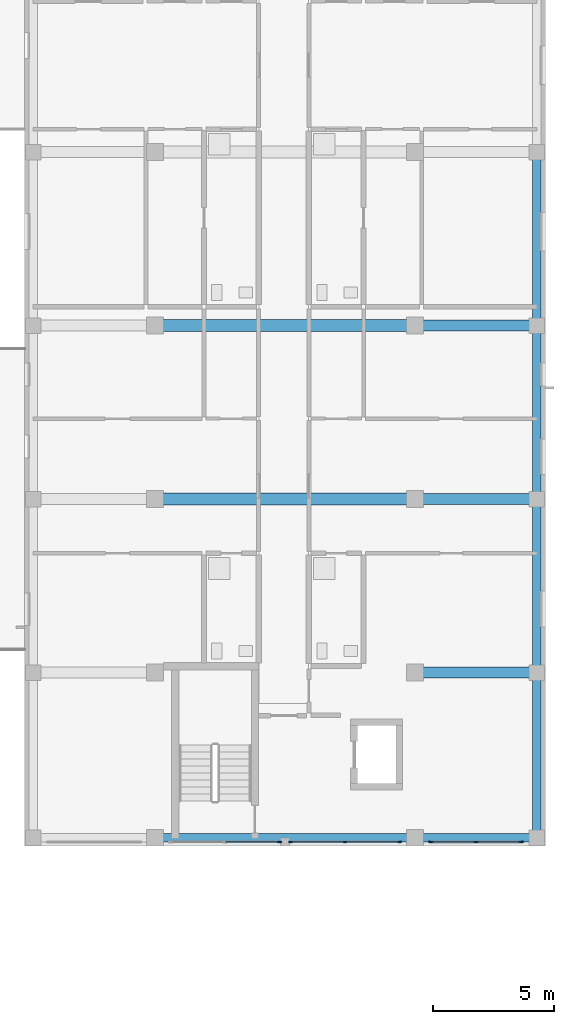
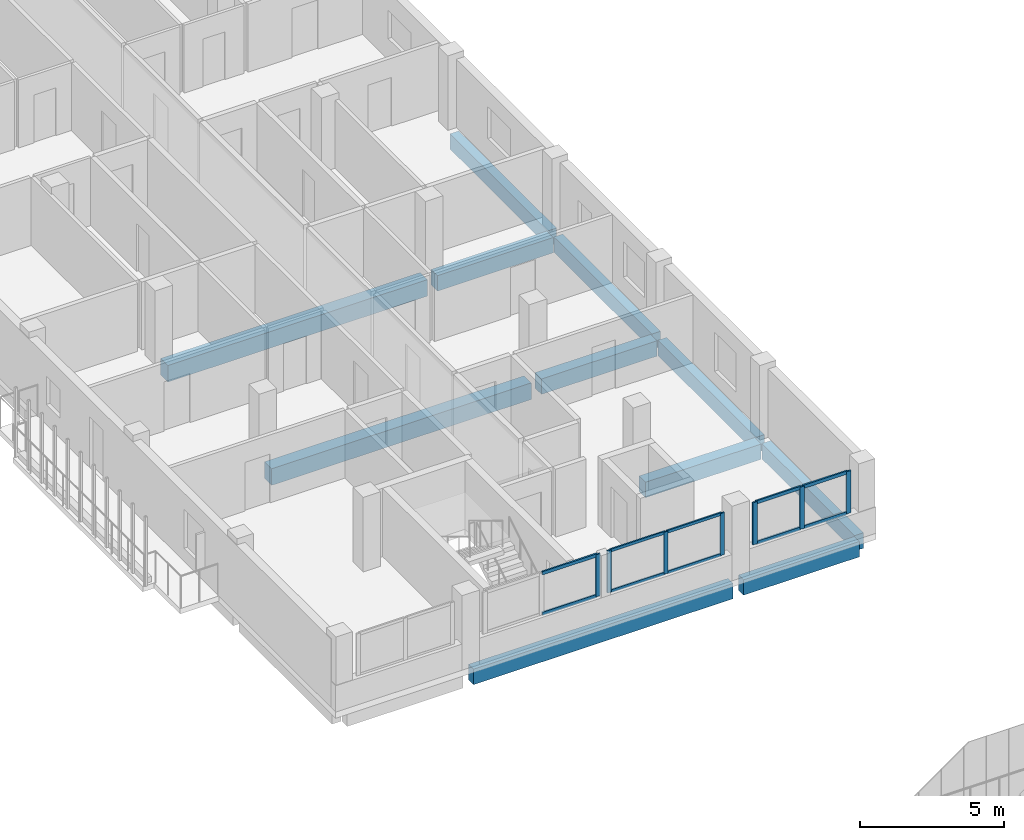
# One storey, part 18 of 51: 17 members, 11 beams, 3 elements without a shape of their own.
"""IFC4 building model written with IfcOpenShell, lengths in metres."""

from ifc_helpers import new_model, si_unit, derived_unit, direction, frame, origin, origin_2d, place, context, subcontext, project, spatial, rectangle, extrude, material, layer, layer_set, material_profile, profile_set, type_object, element, aggregate, save


model = new_model("IFC4")

# Units and contexts
model_context = context("Model", 3, precision=1e-05, world=origin(), true_north=direction((0.0, 1.0)))
body_context = subcontext(model_context, "Body", "Model", "MODEL_VIEW")
ifc_project = project(units=[si_unit("LENGTHUNIT", "METRE"), si_unit("AREAUNIT", "SQUARE_METRE"), si_unit("VOLUMEUNIT", "CUBIC_METRE"), si_unit("PLANEANGLEUNIT", "RADIAN"), si_unit("MASSUNIT", "GRAM", prefix="KILO"), derived_unit("THERMALTRANSMITTANCEUNIT", [(si_unit("MASSUNIT", "GRAM", prefix="KILO"), 1), (si_unit("TIMEUNIT", "SECOND"), -3), (si_unit("THERMODYNAMICTEMPERATUREUNIT", "KELVIN"), -1)])], contexts=[model_context])

# Site, building, storey
site_placement = place(None, origin())
site = spatial("IfcSite", under=ifc_project, at=site_placement, CompositionType="ELEMENT")
building_placement = place(site_placement, origin())
building = spatial("IfcBuilding", under=site, at=building_placement, Name="Ochrekiln Boulevard Commons", CompositionType="ELEMENT")
storey_placement = place(building_placement, frame((0.0, 0.0, 15.22509765625)))
storey = spatial("IfcBuildingStorey", under=building, at=storey_placement, Name="L04", CompositionType="ELEMENT", Elevation=15.22509765625)

# Beams
ifc_material_1 = material(Name="Concrete C35/45", Category="concrete")
ifc_material_profile_1 = material_profile(ifc_material_1, rectangle(XDim=0.449951171875, YDim=0.64990234375, at=origin_2d()), Name="RC-BM-450x650")
ifc_profile_set_1 = profile_set([ifc_material_profile_1], Name="Concrete C35/45")
beam_type_1 = type_object("IfcBeamType", Name="BM-RC-450x650", PredefinedType="BEAM", material=ifc_profile_set_1)
for number, where, z_axis, x_axis, name in (
    (1, (167.610107421875, 75.60009765625, -0.585205078125), (1.0, 0.0, 0.0), (0.0, 1.0, 0.0), "Block B L04 Beam B-4565 X5"),
    (2, (167.610107421875, 82.800048828125, -0.585205078125), (1.0, 0.0, 0.0), (0.0, 1.0, 0.0), "Block B L04 Beam B-4565 X8"),
    (3, (167.610107421875, 90.0, -0.585205078125), (1.0, 0.0, 0.0), (0.0, 1.0, 0.0), "Block B L04 Beam B-4565 X11"),
):
    element("IfcBeam", number, at=place(storey_placement, frame(where, z_axis=z_axis, x_axis=x_axis)), inside=storey, type_object=beam_type_1, Name=name, PredefinedType="BEAM", context=body_context, shape_type="SweptSolid", body=[
        extrude(rectangle(XDim=0.449951171875, YDim=0.64990234375, at=origin_2d()), origin(), (0.0, 0.0, 1.0), 4.6298828125),
    ])
ifc_material_2 = material(Name="Concrete C40/50", Category="concrete")
ifc_material_profile_2 = material_profile(ifc_material_2, rectangle(XDim=0.5, YDim=0.699951171875, at=origin_2d()), Name="RC-BM-500x700")
ifc_profile_set_2 = profile_set([ifc_material_profile_2], Name="Concrete C40/50")
beam_type_2 = type_object("IfcBeamType", Name="BM-RC-500x700", PredefinedType="BEAM", material=ifc_profile_set_2)
for number, where, z_axis, x_axis, name in (
    (4, (156.81005859375, 82.800048828125, -0.610107421875), (1.0, 0.0, 0.0), (0.0, 1.0, 0.0), "Block B L04 Beam B-5070 X7"),
    (5, (156.81005859375, 90.0, -0.610107421875), (1.0, 0.0, 0.0), (0.0, 1.0, 0.0), "Block B L04 Beam B-5070 X10"),
):
    element("IfcBeam", number, at=place(storey_placement, frame(where, z_axis=z_axis, x_axis=x_axis)), inside=storey, type_object=beam_type_2, Name=name, PredefinedType="BEAM", context=body_context, shape_type="SweptSolid", body=[
        extrude(rectangle(XDim=0.5, YDim=0.699951171875, at=origin_2d()), origin(), (0.0, 0.0, 1.0), 10.3798828125),
    ])

# Curtain wall, members
ifc_material_3 = material(Name="Bronze-anodized extruded aluminium 6063-T6", Category="aluminium")
ifc_layer = layer(ifc_material_3, 0.18408203125)
ifc_layer_set = layer_set([ifc_layer], Name="Bronze-anodized extruded aluminium 6063-T6")
curtain_wall_type = type_object("IfcCurtainWallType", Name="CW-GABLE-B", PredefinedType="USERDEFINED", material=ifc_layer_set)
curtain_wall_1_placement = place(storey_placement, origin())
curtain_wall_1 = element("IfcCurtainWall", 6, at=curtain_wall_1_placement, inside=storey, type_object=curtain_wall_type, Name="Block B L04 Courtyard Glazed Gable Curtain Wall 3", ObjectType="GLAZED CURTAIN WALL", PredefinedType="USERDEFINED")
ifc_material_profile_3 = material_profile(ifc_material_3, rectangle(XDim=0.06005859375, YDim=0.159912109375, at=origin_2d()), Name="ALU-MUL-60x160")
ifc_profile_set_3 = profile_set([ifc_material_profile_3], Name="Bronze-anodized extruded aluminium 6063-T6")
member_type_1 = type_object("IfcMemberType", Name="CWM-60x160", PredefinedType="MULLION", material=ifc_profile_set_3)
member_1_placement = place(storey_placement, frame((162.22998046875, 68.570068359375, 1.10986328125), z_axis=(0.0, 0.0, 1.0), x_axis=(0.0, 1.0, 0.0)))
member_1 = element("IfcMember", 7, at=member_1_placement, type_object=member_type_1, Name="CW-02 mullion 1", PredefinedType="MULLION", context=body_context, shape_type="SweptSolid", body=[
    extrude(rectangle(XDim=0.06005859375, YDim=0.159912109375, at=origin_2d()), origin(), (0.0, 0.0, 1.0), 1.780029296875),
])
member_2_placement = place(storey_placement, frame((164.489990234375, 68.570068359375, 1.10986328125), z_axis=(0.0, 0.0, 1.0), x_axis=(0.0, 1.0, 0.0)))
member_2 = element("IfcMember", 8, at=member_2_placement, type_object=member_type_1, Name="CW-02 mullion 2", PredefinedType="MULLION", context=body_context, shape_type="SweptSolid", body=[
    extrude(rectangle(XDim=0.06005859375, YDim=0.159912109375, at=origin_2d()), origin(), (0.0, 0.0, 1.0), 1.780029296875),
])
member_3_placement = place(storey_placement, frame((166.75, 68.570068359375, 1.10986328125), z_axis=(0.0, 0.0, 1.0), x_axis=(0.0, 1.0, 0.0)))
member_3 = element("IfcMember", 9, at=member_3_placement, type_object=member_type_1, Name="CW-02 mullion 3", PredefinedType="MULLION", context=body_context, shape_type="SweptSolid", body=[
    extrude(rectangle(XDim=0.06005859375, YDim=0.159912109375, at=origin_2d()), origin(), (0.0, 0.0, 1.0), 1.780029296875),
])

# Curtain wall, member
curtain_wall_2_placement = place(storey_placement, origin())
curtain_wall_2 = element("IfcCurtainWall", 10, at=curtain_wall_2_placement, inside=storey, type_object=curtain_wall_type, Name="Block B L04 Courtyard Glazed Gable Curtain Wall 2", ObjectType="GLAZED CURTAIN WALL", PredefinedType="USERDEFINED")
ifc_material_profile_4 = material_profile(ifc_material_3, rectangle(XDim=0.06494140625, YDim=0.179931640625, at=origin_2d()), Name="ALU-MUL-65x180")
ifc_profile_set_4 = profile_set([ifc_material_profile_4], Name="Bronze-anodized extruded aluminium 6063-T6")
member_type_2 = type_object("IfcMemberType", Name="CWM-65x180", PredefinedType="MULLION", material=ifc_profile_set_4)
member_4_placement = place(storey_placement, frame((161.767578125, 68.570068359375, 1.10986328125), z_axis=(0.0, 0.0, 1.0), x_axis=(0.0, 1.0, 0.0)))
member_4 = element("IfcMember", 11, at=member_4_placement, type_object=member_type_2, Name="CW-02 mullion 3", PredefinedType="MULLION", context=body_context, shape_type="SweptSolid", body=[
    extrude(rectangle(XDim=0.06494140625, YDim=0.179931640625, at=origin_2d()), origin(), (0.0, 0.0, 1.0), 1.780029296875),
])

# Curtain wall, members
curtain_wall_3_placement = place(storey_placement, origin())
curtain_wall_3 = element("IfcCurtainWall", 12, at=curtain_wall_3_placement, inside=storey, type_object=curtain_wall_type, Name="Block B L04 Courtyard Glazed Gable Curtain Wall 4", ObjectType="GLAZED CURTAIN WALL", PredefinedType="USERDEFINED")
member_5_placement = place(storey_placement, frame((168.052490234375, 68.570068359375, 1.10986328125), z_axis=(0.0, 0.0, 1.0), x_axis=(0.0, 1.0, 0.0)))
member_5 = element("IfcMember", 13, at=member_5_placement, type_object=member_type_2, Name="CW-02 mullion 1", PredefinedType="MULLION", context=body_context, shape_type="SweptSolid", body=[
    extrude(rectangle(XDim=0.06494140625, YDim=0.179931640625, at=origin_2d()), origin(), (0.0, 0.0, 1.0), 1.780029296875),
])
member_6_placement = place(storey_placement, frame((169.925048828125, 68.570068359375, 1.10986328125), z_axis=(0.0, 0.0, 1.0), x_axis=(0.0, 1.0, 0.0)))
member_6 = element("IfcMember", 14, at=member_6_placement, type_object=member_type_2, Name="CW-02 mullion 2", PredefinedType="MULLION", context=body_context, shape_type="SweptSolid", body=[
    extrude(rectangle(XDim=0.06494140625, YDim=0.179931640625, at=origin_2d()), origin(), (0.0, 0.0, 1.0), 1.780029296875),
])
member_7_placement = place(storey_placement, frame((171.797607421875, 68.570068359375, 1.10986328125), z_axis=(0.0, 0.0, 1.0), x_axis=(0.0, 1.0, 0.0)))
member_7 = element("IfcMember", 15, at=member_7_placement, type_object=member_type_2, Name="CW-02 mullion 3", PredefinedType="MULLION", context=body_context, shape_type="SweptSolid", body=[
    extrude(rectangle(XDim=0.06494140625, YDim=0.179931640625, at=origin_2d()), origin(), (0.0, 0.0, 1.0), 1.780029296875),
])

# Member
ifc_material_profile_5 = material_profile(ifc_material_3, rectangle(XDim=0.06005859375, YDim=0.1201171875, at=origin_2d()), Name="ALU-TRN-60x120")
ifc_profile_set_5 = profile_set([ifc_material_profile_5], Name="Bronze-anodized extruded aluminium 6063-T6")
member_type_3 = type_object("IfcMemberType", Name="CWT-60x120", PredefinedType="USERDEFINED", material=ifc_profile_set_5)
member_8_placement = place(storey_placement, frame((162.260009765625, 68.570068359375, 1.139892578125), z_axis=(1.0, 0.0, 0.0), x_axis=(0.0, 1.0, 0.0)))
member_8 = element("IfcMember", 16, at=member_8_placement, type_object=member_type_3, Name="CW-02 transom 1.1", ObjectType="TRANSOM", PredefinedType="USERDEFINED", context=body_context, shape_type="SweptSolid", body=[
    extrude(rectangle(XDim=0.06005859375, YDim=0.1201171875, at=origin_2d()), origin(), (0.0, 0.0, 1.0), 2.199951171875),
])

member_9_placement = place(storey_placement, frame((162.260009765625, 68.570068359375, 2.85986328125), z_axis=(1.0, 0.0, 0.0), x_axis=(0.0, 1.0, 0.0)))
member_9 = element("IfcMember", 17, at=member_9_placement, type_object=member_type_3, Name="CW-02 transom 1.2", ObjectType="TRANSOM", PredefinedType="USERDEFINED", context=body_context, shape_type="SweptSolid", body=[
    extrude(rectangle(XDim=0.06005859375, YDim=0.1201171875, at=origin_2d()), origin(), (0.0, 0.0, 1.0), 2.199951171875),
])

member_10_placement = place(storey_placement, frame((164.52001953125, 68.570068359375, 1.139892578125), z_axis=(1.0, 0.0, 0.0), x_axis=(0.0, 1.0, 0.0)))
member_10 = element("IfcMember", 18, at=member_10_placement, type_object=member_type_3, Name="CW-02 transom 2.1", ObjectType="TRANSOM", PredefinedType="USERDEFINED", context=body_context, shape_type="SweptSolid", body=[
    extrude(rectangle(XDim=0.06005859375, YDim=0.1201171875, at=origin_2d()), origin(), (0.0, 0.0, 1.0), 2.199951171875),
])

member_11_placement = place(storey_placement, frame((164.52001953125, 68.570068359375, 2.85986328125), z_axis=(1.0, 0.0, 0.0), x_axis=(0.0, 1.0, 0.0)))
member_11 = element("IfcMember", 19, at=member_11_placement, type_object=member_type_3, Name="CW-02 transom 2.2", ObjectType="TRANSOM", PredefinedType="USERDEFINED", context=body_context, shape_type="SweptSolid", body=[
    extrude(rectangle(XDim=0.06005859375, YDim=0.1201171875, at=origin_2d()), origin(), (0.0, 0.0, 1.0), 2.199951171875),
])

aggregate(curtain_wall_1, [member_1, member_2, member_3, member_8, member_9, member_10, member_11])

ifc_material_profile_6 = material_profile(ifc_material_3, rectangle(XDim=0.06494140625, YDim=0.139892578125, at=origin_2d()), Name="ALU-TRN-65x140")
ifc_profile_set_6 = profile_set([ifc_material_profile_6], Name="Bronze-anodized extruded aluminium 6063-T6")
member_type_4 = type_object("IfcMemberType", Name="CWT-65x140", PredefinedType="USERDEFINED", material=ifc_profile_set_6)
member_12_placement = place(storey_placement, frame((159.54248046875, 68.570068359375, 1.142333984375), z_axis=(1.0, 0.0, 0.0), x_axis=(0.0, 1.0, 0.0)))
member_12 = element("IfcMember", 20, at=member_12_placement, type_object=member_type_4, Name="CW-02 transom 2.1", ObjectType="TRANSOM", PredefinedType="USERDEFINED", context=body_context, shape_type="SweptSolid", body=[
    extrude(rectangle(XDim=0.06494140625, YDim=0.139892578125, at=origin_2d()), origin(), (0.0, 0.0, 1.0), 2.192626953125),
])

member_13_placement = place(storey_placement, frame((159.54248046875, 68.570068359375, 2.857421875), z_axis=(1.0, 0.0, 0.0), x_axis=(0.0, 1.0, 0.0)))
member_13 = element("IfcMember", 21, at=member_13_placement, type_object=member_type_4, Name="CW-02 transom 2.2", ObjectType="TRANSOM", PredefinedType="USERDEFINED", context=body_context, shape_type="SweptSolid", body=[
    extrude(rectangle(XDim=0.06494140625, YDim=0.139892578125, at=origin_2d()), origin(), (0.0, 0.0, 1.0), 2.192626953125),
])

aggregate(curtain_wall_2, [member_4, member_12, member_13])

member_14_placement = place(storey_placement, frame((168.0849609375, 68.570068359375, 1.142333984375), z_axis=(1.0, 0.0, 0.0), x_axis=(0.0, 1.0, 0.0)))
member_14 = element("IfcMember", 22, at=member_14_placement, type_object=member_type_4, Name="CW-02 transom 1.1", ObjectType="TRANSOM", PredefinedType="USERDEFINED", context=body_context, shape_type="SweptSolid", body=[
    extrude(rectangle(XDim=0.06494140625, YDim=0.139892578125, at=origin_2d()), origin(), (0.0, 0.0, 1.0), 1.8076171875),
])

member_15_placement = place(storey_placement, frame((168.0849609375, 68.570068359375, 2.857421875), z_axis=(1.0, 0.0, 0.0), x_axis=(0.0, 1.0, 0.0)))
member_15 = element("IfcMember", 23, at=member_15_placement, type_object=member_type_4, Name="CW-02 transom 1.2", ObjectType="TRANSOM", PredefinedType="USERDEFINED", context=body_context, shape_type="SweptSolid", body=[
    extrude(rectangle(XDim=0.06494140625, YDim=0.139892578125, at=origin_2d()), origin(), (0.0, 0.0, 1.0), 1.8076171875),
])

member_16_placement = place(storey_placement, frame((169.95751953125, 68.570068359375, 1.142333984375), z_axis=(1.0, 0.0, 0.0), x_axis=(0.0, 1.0, 0.0)))
member_16 = element("IfcMember", 24, at=member_16_placement, type_object=member_type_4, Name="CW-02 transom 2.1", ObjectType="TRANSOM", PredefinedType="USERDEFINED", context=body_context, shape_type="SweptSolid", body=[
    extrude(rectangle(XDim=0.06494140625, YDim=0.139892578125, at=origin_2d()), origin(), (0.0, 0.0, 1.0), 1.807373046875),
])

member_17_placement = place(storey_placement, frame((169.95751953125, 68.570068359375, 2.857421875), z_axis=(1.0, 0.0, 0.0), x_axis=(0.0, 1.0, 0.0)))
member_17 = element("IfcMember", 25, at=member_17_placement, type_object=member_type_4, Name="CW-02 transom 2.2", ObjectType="TRANSOM", PredefinedType="USERDEFINED", context=body_context, shape_type="SweptSolid", body=[
    extrude(rectangle(XDim=0.06494140625, YDim=0.139892578125, at=origin_2d()), origin(), (0.0, 0.0, 1.0), 1.807373046875),
])

aggregate(curtain_wall_3, [member_5, member_6, member_7, member_14, member_15, member_16, member_17])

# Beams
ifc_material_profile_7 = material_profile(ifc_material_2, rectangle(XDim=0.35009765625, YDim=0.64990234375, at=origin_2d()), Name="RC-SPN-350x650")
ifc_profile_set_7 = profile_set([ifc_material_profile_7], Name="Concrete C40/50")
beam_type_3 = type_object("IfcBeamType", Name="SPN-RC-350x650", PredefinedType="SPANDREL", material=ifc_profile_set_7)
beam_1_placement = place(storey_placement, frame((156.81005859375, 68.75, -0.585205078125), z_axis=(1.0, 0.0, 0.0), x_axis=(0.0, 1.0, 0.0)))
element("IfcBeam", 26, at=beam_1_placement, inside=storey, type_object=beam_type_3, Name="Block B L04 Beam SP-3565 X2", PredefinedType="SPANDREL", context=body_context, shape_type="SweptSolid", body=[
    extrude(rectangle(XDim=0.35009765625, YDim=0.64990234375, at=origin_2d()), origin(), (0.0, 0.0, 1.0), 10.3798828125),
])
beam_2_placement = place(storey_placement, frame((167.610107421875, 68.75, -0.585205078125), z_axis=(1.0, 0.0, 0.0), x_axis=(0.0, 1.0, 0.0)))
element("IfcBeam", 27, at=beam_2_placement, inside=storey, type_object=beam_type_3, Name="Block B L04 Beam SP-3565 X3", PredefinedType="SPANDREL", context=body_context, shape_type="SweptSolid", body=[
    extrude(rectangle(XDim=0.35009765625, YDim=0.64990234375, at=origin_2d()), origin(), (0.0, 0.0, 1.0), 4.6298828125),
])
beam_3_placement = place(storey_placement, frame((172.449951171875, 68.9599609375, -0.585205078125), z_axis=(0.0, 1.0, 0.0), x_axis=(-1.0, 0.0, 0.0)))
element("IfcBeam", 28, at=beam_3_placement, inside=storey, type_object=beam_type_3, Name="Block B L04 Beam SP-3565 Y30", PredefinedType="SPANDREL", context=body_context, shape_type="SweptSolid", body=[
    extrude(rectangle(XDim=0.35009765625, YDim=0.64990234375, at=origin_2d()), origin(), (0.0, 0.0, 1.0), 6.429931640625),
])
for number, where, z_axis, x_axis, name in (
    (29, (172.449951171875, 75.81005859375, -0.585205078125), (0.0, 1.0, 0.0), (-1.0, 0.0, 0.0), "Block B L04 Beam SP-3565 Y31"),
    (30, (172.449951171875, 83.010009765625, -0.585205078125), (0.0, 1.0, 0.0), (-1.0, 0.0, 0.0), "Block B L04 Beam SP-3565 Y32"),
    (31, (172.449951171875, 90.2099609375, -0.585205078125), (0.0, 1.0, 0.0), (-1.0, 0.0, 0.0), "Block B L04 Beam SP-3565 Y33"),
):
    element("IfcBeam", number, at=place(storey_placement, frame(where, z_axis=z_axis, x_axis=x_axis)), inside=storey, type_object=beam_type_3, Name=name, PredefinedType="SPANDREL", context=body_context, shape_type="SweptSolid", body=[
        extrude(rectangle(XDim=0.35009765625, YDim=0.64990234375, at=origin_2d()), origin(), (0.0, 0.0, 1.0), 6.780029296875),
    ])

save(model, "model.ifc")
